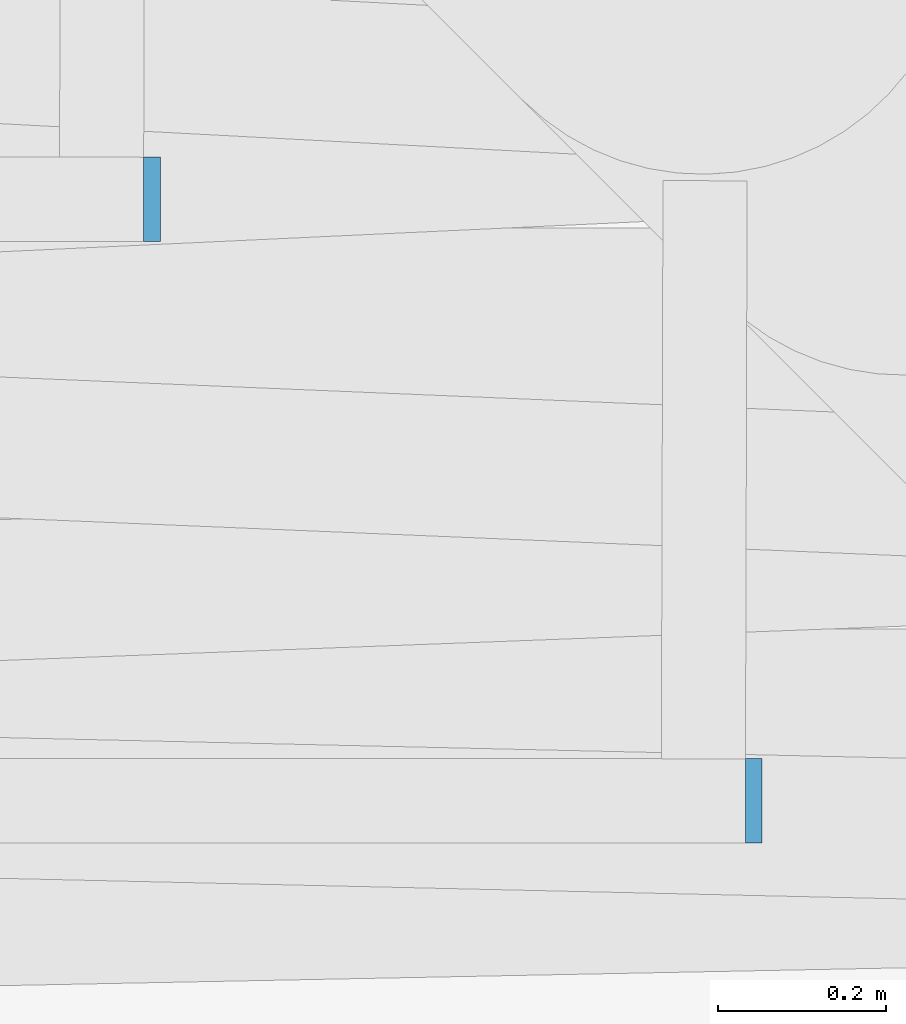
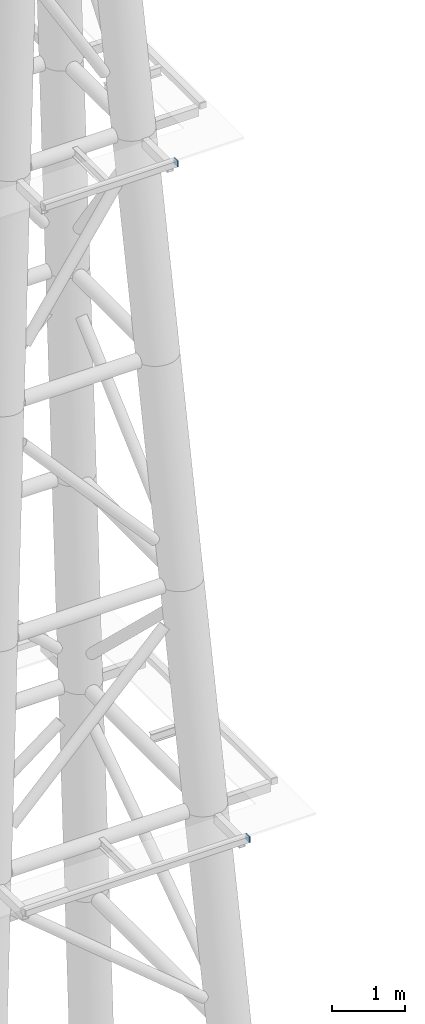
# One storey, part 18 of 36: 2 discrete accessories.
"""IFC4 building model written with IfcOpenShell, lengths in metres."""

from ifc_helpers import new_model, si_unit, direction, frame, origin, origin_2d, place, context, subcontext, project, spatial, rectangle, extrude, material, material_profile, profile_set, type_object, element, save


model = new_model("IFC4")

# Units and contexts
model_context = context("Model", 3, precision=1e-05, world=origin(), true_north=direction((0.0, 1.0)))
body_context = subcontext(model_context, "Body", "Model", "MODEL_VIEW")
ifc_project = project(units=[si_unit("LENGTHUNIT", "METRE"), si_unit("AREAUNIT", "SQUARE_METRE"), si_unit("VOLUMEUNIT", "CUBIC_METRE"), si_unit("PLANEANGLEUNIT", "RADIAN"), si_unit("MASSUNIT", "GRAM", prefix="KILO")], contexts=[model_context])

# Site, building, storey
site_placement = place(None, origin())
site = spatial("IfcSite", under=ifc_project, at=site_placement, CompositionType="ELEMENT")
building_placement = place(site_placement, origin())
building = spatial("IfcBuilding", under=site, at=building_placement, Name="Ipe Terrace Towers", CompositionType="ELEMENT")
storey_placement = place(building_placement, frame((0.0, 0.0, 264.89990234375)))
storey = spatial("IfcBuildingStorey", under=building, at=storey_placement, Name="Roof", CompositionType="ELEMENT", Elevation=264.89990234375)

# Discrete accessories
ifc_material = material(Name="Steel S355", Category="steel")
ifc_material_profile = material_profile(ifc_material, rectangle(XDim=0.10009765625, YDim=0.10009765625, at=origin_2d()), Name="MAST END PLATE 100 x 100 x 20")
ifc_profile_set = profile_set([ifc_material_profile], Name="Steel S355")
discrete_accessory_type = type_object("IfcDiscreteAccessoryType", Name="MAST END PLATE 100 x 100 x 20", PredefinedType="BRACKET", material=ifc_profile_set)
for number, where, z_axis, x_axis, name in (
    (1, (-34.2451171875, -2.7548828125, 21.31005859375), (1.0, 0.0, 0.0), (0.0, 1.0, 0.0), "mast end plate"),
    (2, (-34.9609375, -2.0390625, 32.3720703125), (1.0, 0.0, 0.0), (0.0, 1.0, 0.0), "mast end plate"),
):
    element("IfcDiscreteAccessory", number, at=place(storey_placement, frame(where, z_axis=z_axis, x_axis=x_axis)), inside=storey, type_object=discrete_accessory_type, Name=name, PredefinedType="BRACKET", context=body_context, shape_type="SweptSolid", body=[
        extrude(rectangle(XDim=0.10009765625, YDim=0.10009765625, at=origin_2d()), origin(), (0.0, 0.0, 1.0), 0.02001953125),
    ])

save(model, "model.ifc")
